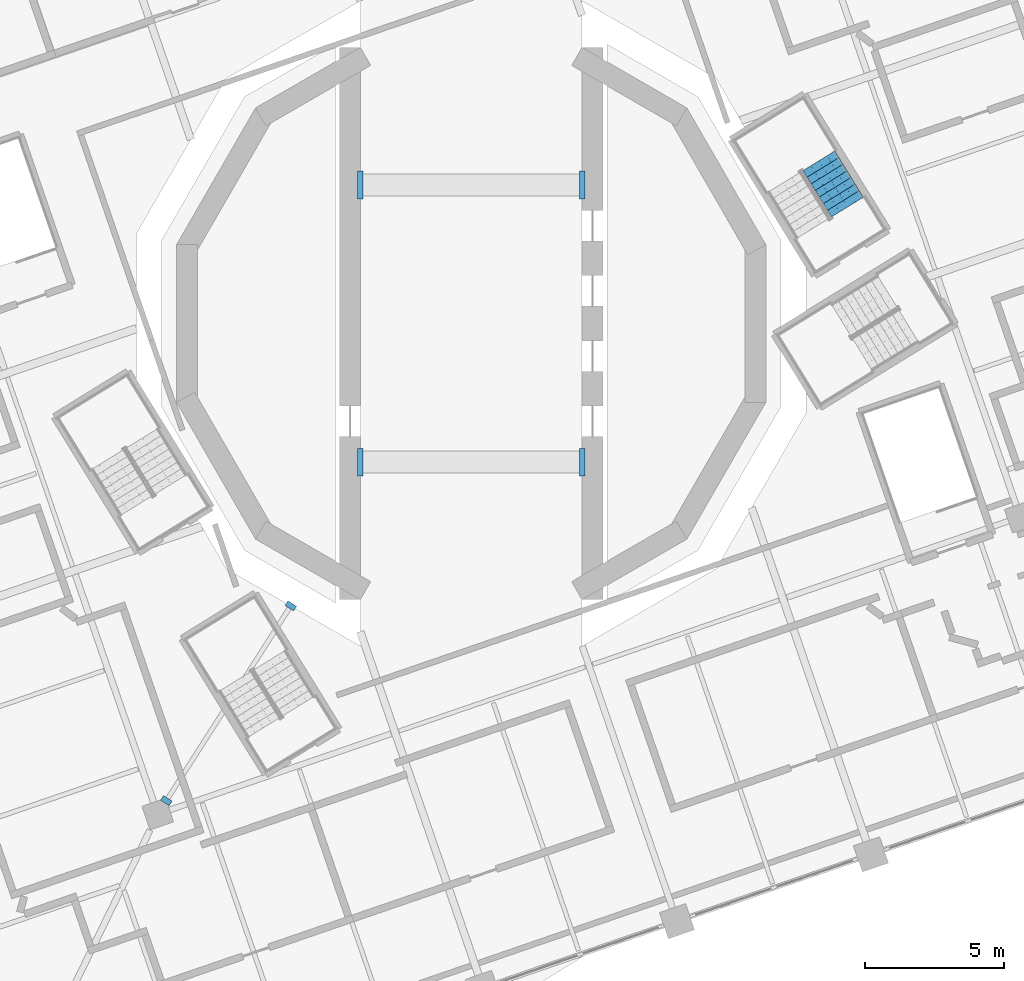
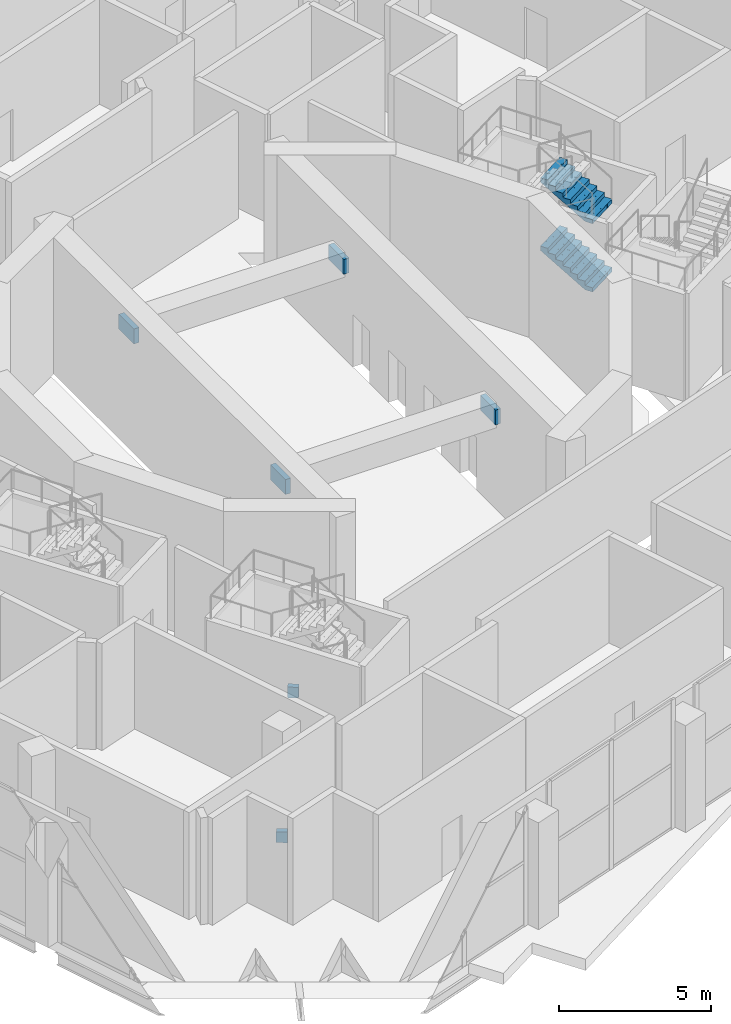
# One storey, part 16 of 20: 6 discrete accessories, 2 stair flights, 1 element without a shape of its own.
"""IFC4 building model written with IfcOpenShell, lengths in metres."""

from ifc_helpers import new_model, si_unit, direction, frame, origin, place, context, subcontext, project, spatial, polyline, outline, extrude, material, layer, layer_set, type_object, element, aggregate, save


model = new_model("IFC4")

# Units and contexts
model_context = context("Model", 3, precision=1e-05, world=origin(), true_north=direction((0.0, 1.0)))
body_context = subcontext(model_context, "Body", "Model", "MODEL_VIEW")
ifc_project = project(units=[si_unit("LENGTHUNIT", "METRE"), si_unit("AREAUNIT", "SQUARE_METRE"), si_unit("VOLUMEUNIT", "CUBIC_METRE"), si_unit("PLANEANGLEUNIT", "RADIAN"), si_unit("MASSUNIT", "GRAM", prefix="KILO")], contexts=[model_context])

# Site, building, storey
site_placement = place(None, origin())
site = spatial("IfcSite", under=ifc_project, at=site_placement, CompositionType="ELEMENT")
building_placement = place(site_placement, origin())
building = spatial("IfcBuilding", under=site, at=building_placement, Name="Cantera Rosa Tower", CompositionType="ELEMENT")
storey_placement = place(building_placement, frame((0.0, 0.0, 142.10009765625)))
storey = spatial("IfcBuildingStorey", under=building, at=storey_placement, Name="L30", CompositionType="ELEMENT", Elevation=142.10009765625)

# Stair, stair flights
ifc_material_1 = material(Name="Concrete C35/45", Category="concrete")
stair_type = type_object("IfcStairType", Name="EXIT STAIR 1350 DOGLEG", PredefinedType="HALF_TURN_STAIR", material=ifc_material_1)
stair_placement = place(storey_placement, origin())
stair = element("IfcStair", 1, at=stair_placement, inside=storey, type_object=stair_type, Name="L30 ST-31", PredefinedType="HALF_TURN_STAIR")
ifc_material_2 = material(Name="Concrete C35/45", Category="concrete")
stair_flight_type = type_object("IfcStairFlightType", Name="STAIR FLIGHT 1350 R32x172", PredefinedType="STRAIGHT", material=ifc_material_2)
stair_flight_1_placement = place(storey_placement, frame((13.5732421875, 4.2021484375, 0.0), z_axis=(0.0, 0.0, 1.0), x_axis=(-0.524976585286, 0.851116669383, 0.0)))
stair_flight_1 = element("IfcStairFlight", 2, at=stair_flight_1_placement, type_object=stair_flight_type, Name="ST-31 flight 1", NumberOfRisers=8, NumberOfTreads=7, PredefinedType="STRAIGHT", RiserHeight=0.171875, TreadLength=0.28, context=body_context, shape_type="SweptSolid", body=[
    extrude(outline(polyline([(0.0, 0.0), (0.0, 0.171875), (0.280029296875, 0.171875), (0.280029296875, 0.34375), (0.56005859375, 0.34375), (0.56005859375, 0.515625), (0.840087890625, 0.515625), (0.840087890625, 0.6875), (1.1201171875, 0.6875), (1.1201171875, 0.859375), (1.39990234375, 0.859375), (1.39990234375, 1.03125), (1.679931640625, 1.03125), (1.679931640625, 1.203125), (1.9599609375, 1.203125), (1.9599609375, 1.375), (1.9599609375, 1.02734375), (0.28662109375, 0.0), (0.0, 0.0)])), frame((0.0, 0.675048828125, 0.0), z_axis=(0.0, -1.0, 0.0), x_axis=(1.0, 0.0, 0.0)), (0.0, 0.0, 1.0), 0.3359375),
    extrude(outline(polyline([(0.0, 0.0), (0.0, 0.171875), (0.280029296875, 0.171875), (0.280029296875, 0.34375), (0.56005859375, 0.34375), (0.56005859375, 0.515625), (0.840087890625, 0.515625), (0.840087890625, 0.6875), (1.1201171875, 0.6875), (1.1201171875, 0.859375), (1.39990234375, 0.859375), (1.39990234375, 1.03125), (1.679931640625, 1.03125), (1.679931640625, 1.203125), (1.9599609375, 1.203125), (1.9599609375, 1.375), (1.9599609375, 1.02734375), (0.28662109375, 0.0), (0.0, 0.0)])), frame((0.0, 0.337158203125, 0.0), z_axis=(0.0, -1.0, 0.0), x_axis=(1.0, 0.0, 0.0)), (0.0, 0.0, 1.0), 0.3359375),
    extrude(outline(polyline([(0.0, 0.0), (0.0, 0.171875), (0.280029296875, 0.171875), (0.280029296875, 0.34375), (0.56005859375, 0.34375), (0.56005859375, 0.515625), (0.840087890625, 0.515625), (0.840087890625, 0.6875), (1.1201171875, 0.6875), (1.1201171875, 0.859375), (1.39990234375, 0.859375), (1.39990234375, 1.03125), (1.679931640625, 1.03125), (1.679931640625, 1.203125), (1.9599609375, 1.203125), (1.9599609375, 1.375), (1.9599609375, 1.02734375), (0.28662109375, 0.0), (0.0, 0.0)])), frame((0.0, -0.000732421875, 0.0), z_axis=(0.0, -1.0, 0.0), x_axis=(1.0, 0.0, 0.0)), (0.0, 0.0, 1.0), 0.3359375),
    extrude(outline(polyline([(0.0, 0.0), (0.0, 0.171875), (0.280029296875, 0.171875), (0.280029296875, 0.34375), (0.56005859375, 0.34375), (0.56005859375, 0.515625), (0.840087890625, 0.515625), (0.840087890625, 0.6875), (1.1201171875, 0.6875), (1.1201171875, 0.859375), (1.39990234375, 0.859375), (1.39990234375, 1.03125), (1.679931640625, 1.03125), (1.679931640625, 1.203125), (1.9599609375, 1.203125), (1.9599609375, 1.375), (1.9599609375, 1.02734375), (0.28662109375, 0.0), (0.0, 0.0)])), frame((0.0, -0.338623046875, 0.0), z_axis=(0.0, -1.0, 0.0), x_axis=(1.0, 0.0, 0.0)), (0.0, 0.0, 1.0), 0.3359375),
])
stair_flight_2_placement = place(storey_placement, frame((13.5732421875, 4.2021484375, 2.75), z_axis=(0.0, 0.0, 1.0), x_axis=(-0.524976585286, 0.851116669383, 0.0)))
stair_flight_2 = element("IfcStairFlight", 3, at=stair_flight_2_placement, type_object=stair_flight_type, Name="ST-31 flight 3", NumberOfRisers=8, NumberOfTreads=7, PredefinedType="STRAIGHT", RiserHeight=0.171875, TreadLength=0.28, context=body_context, shape_type="SweptSolid", body=[
    extrude(outline(polyline([(0.0, 0.0), (0.0, 0.171875), (0.280029296875, 0.171875), (0.280029296875, 0.34375), (0.56005859375, 0.34375), (0.56005859375, 0.515625), (0.840087890625, 0.515625), (0.840087890625, 0.6875), (1.1201171875, 0.6875), (1.1201171875, 0.859375), (1.39990234375, 0.859375), (1.39990234375, 1.03125), (1.679931640625, 1.03125), (1.679931640625, 1.203125), (1.9599609375, 1.203125), (1.9599609375, 1.375), (1.9599609375, 1.02734375), (0.28662109375, 0.0), (0.0, 0.0)])), frame((0.0, 0.675048828125, 0.0), z_axis=(0.0, -1.0, 0.0), x_axis=(1.0, 0.0, 0.0)), (0.0, 0.0, 1.0), 0.3359375),
    extrude(outline(polyline([(0.0, 0.0), (0.0, 0.171875), (0.280029296875, 0.171875), (0.280029296875, 0.34375), (0.56005859375, 0.34375), (0.56005859375, 0.515625), (0.840087890625, 0.515625), (0.840087890625, 0.6875), (1.1201171875, 0.6875), (1.1201171875, 0.859375), (1.39990234375, 0.859375), (1.39990234375, 1.03125), (1.679931640625, 1.03125), (1.679931640625, 1.203125), (1.9599609375, 1.203125), (1.9599609375, 1.375), (1.9599609375, 1.02734375), (0.28662109375, 0.0), (0.0, 0.0)])), frame((0.0, 0.337158203125, 0.0), z_axis=(0.0, -1.0, 0.0), x_axis=(1.0, 0.0, 0.0)), (0.0, 0.0, 1.0), 0.3359375),
    extrude(outline(polyline([(0.0, 0.0), (0.0, 0.171875), (0.280029296875, 0.171875), (0.280029296875, 0.34375), (0.56005859375, 0.34375), (0.56005859375, 0.515625), (0.840087890625, 0.515625), (0.840087890625, 0.6875), (1.1201171875, 0.6875), (1.1201171875, 0.859375), (1.39990234375, 0.859375), (1.39990234375, 1.03125), (1.679931640625, 1.03125), (1.679931640625, 1.203125), (1.9599609375, 1.203125), (1.9599609375, 1.375), (1.9599609375, 1.02734375), (0.28662109375, 0.0), (0.0, 0.0)])), frame((0.0, -0.000732421875, 0.0), z_axis=(0.0, -1.0, 0.0), x_axis=(1.0, 0.0, 0.0)), (0.0, 0.0, 1.0), 0.3359375),
    extrude(outline(polyline([(0.0, 0.0), (0.0, 0.171875), (0.280029296875, 0.171875), (0.280029296875, 0.34375), (0.56005859375, 0.34375), (0.56005859375, 0.515625), (0.840087890625, 0.515625), (0.840087890625, 0.6875), (1.1201171875, 0.6875), (1.1201171875, 0.859375), (1.39990234375, 0.859375), (1.39990234375, 1.03125), (1.679931640625, 1.03125), (1.679931640625, 1.203125), (1.9599609375, 1.203125), (1.9599609375, 1.375), (1.9599609375, 1.02734375), (0.28662109375, 0.0), (0.0, 0.0)])), frame((0.0, -0.338623046875, 0.0), z_axis=(0.0, -1.0, 0.0), x_axis=(1.0, 0.0, 0.0)), (0.0, 0.0, 1.0), 0.3359375),
])
aggregate(stair, [stair_flight_1, stair_flight_2])

# Discrete accessories
ifc_material_3 = material(Name="Steel ASTM A992 (Fy 345 MPa)", Category="steel")
ifc_layer = layer(ifc_material_3, 0.0400390625)
ifc_layer_set = layer_set([ifc_layer], Name="STEEL BEARING PLATE 40")
discrete_accessory_type = type_object("IfcDiscreteAccessoryType", Name="STEEL BEARING PLATE 40", PredefinedType="ANCHORPLATE", material=ifc_layer_set)
discrete_accessory_1_placement = place(storey_placement, frame((0.0, 0.0, 3.5)))
element("IfcDiscreteAccessory", 4, at=discrete_accessory_1_placement, inside=storey, type_object=discrete_accessory_type, Name="BEARING PLATE CPL-L30-1 end 1", PredefinedType="ANCHORPLATE", context=body_context, shape_type="SweptSolid", body=[
    extrude(outline(polyline([(-3.89990234375, -4.5), (-4.10009765625, -4.5), (-4.10009765625, -5.5), (-3.89990234375, -5.5), (-3.89990234375, -4.5)])), origin(), (0.0, 0.0, 1.0), 0.599853515625),
])
discrete_accessory_2_placement = place(storey_placement, frame((0.0, 0.0, 3.5)))
element("IfcDiscreteAccessory", 5, at=discrete_accessory_2_placement, inside=storey, type_object=discrete_accessory_type, Name="BEARING PLATE CPL-L30-1 end 2", PredefinedType="ANCHORPLATE", context=body_context, shape_type="SweptSolid", body=[
    extrude(outline(polyline([(3.89990234375, -5.5), (4.10009765625, -5.5), (4.10009765625, -4.5), (3.89990234375, -4.5), (3.89990234375, -5.5)])), origin(), (0.0, 0.0, 1.0), 0.599853515625),
])
discrete_accessory_3_placement = place(storey_placement, frame((0.0, 0.0, 3.5)))
element("IfcDiscreteAccessory", 6, at=discrete_accessory_3_placement, inside=storey, type_object=discrete_accessory_type, Name="BEARING PLATE CPL-L30-2 end 1", PredefinedType="ANCHORPLATE", context=body_context, shape_type="SweptSolid", body=[
    extrude(outline(polyline([(-3.89990234375, 5.5), (-4.10009765625, 5.5), (-4.10009765625, 4.5), (-3.89990234375, 4.5), (-3.89990234375, 5.5)])), origin(), (0.0, 0.0, 1.0), 0.599853515625),
])
discrete_accessory_4_placement = place(storey_placement, frame((0.0, 0.0, 3.5)))
element("IfcDiscreteAccessory", 7, at=discrete_accessory_4_placement, inside=storey, type_object=discrete_accessory_type, Name="BEARING PLATE CPL-L30-2 end 2", PredefinedType="ANCHORPLATE", context=body_context, shape_type="SweptSolid", body=[
    extrude(outline(polyline([(3.89990234375, 4.5), (4.10009765625, 4.5), (4.10009765625, 5.5), (3.89990234375, 5.5), (3.89990234375, 4.5)])), origin(), (0.0, 0.0, 1.0), 0.599853515625),
])
discrete_accessory_5_placement = place(storey_placement, frame((0.0, 0.0, -0.927978515625)))
element("IfcDiscreteAccessory", 8, at=discrete_accessory_5_placement, inside=storey, type_object=discrete_accessory_type, Name="BEARING PLATE PG-Z2-01 end 1 L30", PredefinedType="ANCHORPLATE", context=body_context, shape_type="SweptSolid", body=[
    extrude(outline(polyline([(-11.09619140625, -17.02783203125), (-11.203857421875, -17.1962890625), (-10.8955078125, -17.393310546875), (-10.787841796875, -17.224853515625), (-11.09619140625, -17.02783203125)])), origin(), (0.0, 0.0, 1.0), 0.427978515625),
])
discrete_accessory_6_placement = place(storey_placement, frame((0.0, 0.0, -0.927978515625)))
element("IfcDiscreteAccessory", 9, at=discrete_accessory_6_placement, inside=storey, type_object=discrete_accessory_type, Name="BEARING PLATE PG-Z2-01 end 2 L30", PredefinedType="ANCHORPLATE", context=body_context, shape_type="SweptSolid", body=[
    extrude(outline(polyline([(-6.40673828125, -10.367919921875), (-6.29931640625, -10.19921875), (-6.607666015625, -10.002197265625), (-6.71533203125, -10.170654296875), (-6.40673828125, -10.367919921875)])), origin(), (0.0, 0.0, 1.0), 0.427978515625),
])

save(model, "model.ifc")
